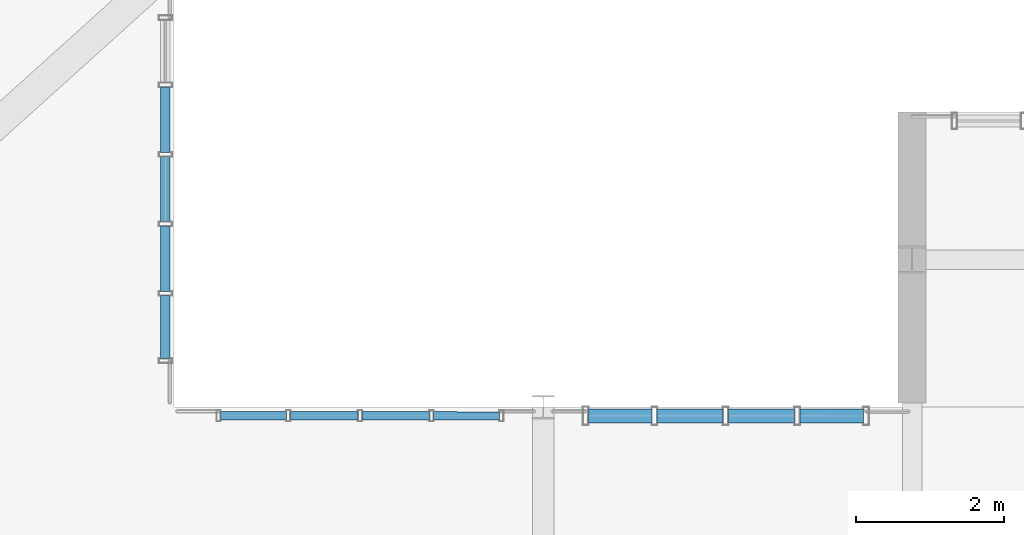
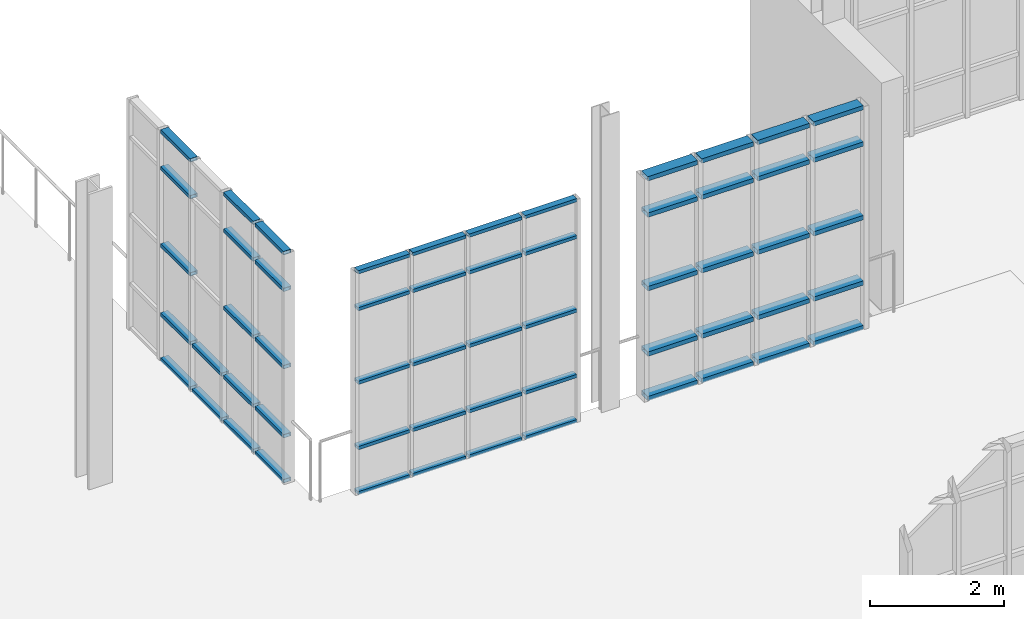
# One storey, part 123 of 189: 57 members, 3 elements without a shape of their own.
"""IFC4 building model written with IfcOpenShell, lengths in metres."""

from ifc_helpers import new_model, si_unit, direction, frame, origin, origin_2d, place, context, subcontext, project, spatial, hollow_rectangle, extrude, material, layer, layer_set, material_profile, profile_set, type_object, element, aggregate, save


model = new_model("IFC4")

# Units and contexts
model_context = context("Model", 3, precision=1e-05, world=origin(), true_north=direction((0.0, 1.0)))
body_context = subcontext(model_context, "Body", "Model", "MODEL_VIEW")
ifc_project = project(units=[si_unit("LENGTHUNIT", "METRE"), si_unit("AREAUNIT", "SQUARE_METRE"), si_unit("VOLUMEUNIT", "CUBIC_METRE"), si_unit("PLANEANGLEUNIT", "RADIAN"), si_unit("MASSUNIT", "GRAM", prefix="KILO"), si_unit("THERMODYNAMICTEMPERATUREUNIT", "KELVIN"), si_unit("POWERUNIT", "WATT")], contexts=[model_context])

# Site, building, storey
site_placement = place(None, origin())
site = spatial("IfcSite", under=ifc_project, at=site_placement, CompositionType="ELEMENT")
building_placement = place(site_placement, origin())
building = spatial("IfcBuilding", under=site, at=building_placement, Name="Zelmaris Science Centre", CompositionType="ELEMENT")
storey_placement = place(building_placement, origin())
storey = spatial("IfcBuildingStorey", under=building, at=storey_placement, Name="L00", CompositionType="ELEMENT", Elevation=0.0)

# Curtain wall, members
ifc_material = material(Name="Anodised architectural aluminium 6063-T6", Category="aluminium")
ifc_layer_1 = layer(ifc_material, 0.219970703125, Name="Anodised architectural aluminium 6063-T6")
ifc_layer_set_1 = layer_set([ifc_layer_1], Name="Anodised architectural aluminium 6063-T6")
curtain_wall_type_1 = type_object("IfcCurtainWallType", Name="Curtain Wall CW-04", PredefinedType="USERDEFINED", material=ifc_layer_set_1)
curtain_wall_1_placement = place(storey_placement, origin())
curtain_wall_1 = element("IfcCurtainWall", 1, at=curtain_wall_1_placement, inside=storey, type_object=curtain_wall_type_1, Name="L00 Unitised curtain wall 64", ObjectType="GLAZED CURTAIN WALL", PredefinedType="USERDEFINED")
ifc_material_profile_1 = material_profile(ifc_material, hollow_rectangle(XDim=0.06005859375, YDim=0.110107421875, WallThickness=0.0029296875, at=origin_2d()), Name="ALU-TRN-60X110")
ifc_profile_set_1 = profile_set([ifc_material_profile_1], Name="Anodised architectural aluminium 6063-T6")
member_type_1 = type_object("IfcMemberType", Name="ALU-TRN-60X110", PredefinedType="USERDEFINED", material=ifc_profile_set_1)
member_1_placement = place(storey_placement, frame((98.62890625, 29.88427734375, 0.010986328125), z_axis=(0.999999962613, -0.000273448171, 0.0), x_axis=(0.0, 0.0, 1.0)))
member_1 = element("IfcMember", 2, at=member_1_placement, type_object=member_type_1, Name="CW-04 transom 1.1", ObjectType="TRANSOM", PredefinedType="USERDEFINED", context=body_context, shape_type="SweptSolid", body=[
    extrude(hollow_rectangle(XDim=0.06005859375, YDim=0.110107421875, WallThickness=0.0029296875, at=origin_2d()), origin(), (0.0, 0.0, 1.0), 0.892822265625),
])
member_2_placement = place(storey_placement, frame((98.62890625, 29.88427734375, 0.8349609375), z_axis=(0.999999962613, -0.000273448171, 0.0), x_axis=(0.0, 0.0, 1.0)))
member_2 = element("IfcMember", 3, at=member_2_placement, type_object=member_type_1, Name="CW-04 transom 1.2", ObjectType="TRANSOM", PredefinedType="USERDEFINED", context=body_context, shape_type="SweptSolid", body=[
    extrude(hollow_rectangle(XDim=0.06005859375, YDim=0.110107421875, WallThickness=0.0029296875, at=origin_2d()), origin(), (0.0, 0.0, 1.0), 0.892822265625),
])
member_3_placement = place(storey_placement, frame((98.62890625, 29.88427734375, 2.029541015625), z_axis=(0.999999962613, -0.000273448171, 0.0), x_axis=(0.0, 0.0, 1.0)))
member_3 = element("IfcMember", 4, at=member_3_placement, type_object=member_type_1, Name="CW-04 transom 1.3", ObjectType="TRANSOM", PredefinedType="USERDEFINED", context=body_context, shape_type="SweptSolid", body=[
    extrude(hollow_rectangle(XDim=0.06005859375, YDim=0.110107421875, WallThickness=0.0029296875, at=origin_2d()), origin(), (0.0, 0.0, 1.0), 0.892822265625),
])
member_4_placement = place(storey_placement, frame((98.62890625, 29.88427734375, 3.3740234375), z_axis=(0.999999962613, -0.000273448171, 0.0), x_axis=(0.0, 0.0, 1.0)))
member_4 = element("IfcMember", 5, at=member_4_placement, type_object=member_type_1, Name="CW-04 transom 1.4", ObjectType="TRANSOM", PredefinedType="USERDEFINED", context=body_context, shape_type="SweptSolid", body=[
    extrude(hollow_rectangle(XDim=0.06005859375, YDim=0.110107421875, WallThickness=0.0029296875, at=origin_2d()), origin(), (0.0, 0.0, 1.0), 0.892822265625),
])
member_5_placement = place(storey_placement, frame((98.62890625, 29.88427734375, 4.048095703125), z_axis=(0.999999962613, -0.000273448171, 0.0), x_axis=(0.0, 0.0, 1.0)))
member_5 = element("IfcMember", 6, at=member_5_placement, type_object=member_type_1, Name="CW-04 transom 1.5", ObjectType="TRANSOM", PredefinedType="USERDEFINED", context=body_context, shape_type="SweptSolid", body=[
    extrude(hollow_rectangle(XDim=0.06005859375, YDim=0.110107421875, WallThickness=0.0029296875, at=origin_2d()), origin(), (0.0, 0.0, 1.0), 0.892822265625),
])
member_6_placement = place(storey_placement, frame((99.57373046875, 29.884033203125, 0.010986328125), z_axis=(0.99999996469, -0.000265745407, 0.0), x_axis=(0.0, 0.0, 1.0)))
member_6 = element("IfcMember", 7, at=member_6_placement, type_object=member_type_1, Name="CW-04 transom 2.1", ObjectType="TRANSOM", PredefinedType="USERDEFINED", context=body_context, shape_type="SweptSolid", body=[
    extrude(hollow_rectangle(XDim=0.06005859375, YDim=0.110107421875, WallThickness=0.0029296875, at=origin_2d()), origin(), (0.0, 0.0, 1.0), 0.918701171875),
])
member_7_placement = place(storey_placement, frame((99.57373046875, 29.884033203125, 0.8349609375), z_axis=(0.99999996469, -0.000265745407, 0.0), x_axis=(0.0, 0.0, 1.0)))
member_7 = element("IfcMember", 8, at=member_7_placement, type_object=member_type_1, Name="CW-04 transom 2.2", ObjectType="TRANSOM", PredefinedType="USERDEFINED", context=body_context, shape_type="SweptSolid", body=[
    extrude(hollow_rectangle(XDim=0.06005859375, YDim=0.110107421875, WallThickness=0.0029296875, at=origin_2d()), origin(), (0.0, 0.0, 1.0), 0.918701171875),
])
member_8_placement = place(storey_placement, frame((99.57373046875, 29.884033203125, 2.029541015625), z_axis=(0.99999996469, -0.000265745407, 0.0), x_axis=(0.0, 0.0, 1.0)))
member_8 = element("IfcMember", 9, at=member_8_placement, type_object=member_type_1, Name="CW-04 transom 2.3", ObjectType="TRANSOM", PredefinedType="USERDEFINED", context=body_context, shape_type="SweptSolid", body=[
    extrude(hollow_rectangle(XDim=0.06005859375, YDim=0.110107421875, WallThickness=0.0029296875, at=origin_2d()), origin(), (0.0, 0.0, 1.0), 0.918701171875),
])
member_9_placement = place(storey_placement, frame((99.57373046875, 29.884033203125, 3.3740234375), z_axis=(0.99999996469, -0.000265745407, 0.0), x_axis=(0.0, 0.0, 1.0)))
member_9 = element("IfcMember", 10, at=member_9_placement, type_object=member_type_1, Name="CW-04 transom 2.4", ObjectType="TRANSOM", PredefinedType="USERDEFINED", context=body_context, shape_type="SweptSolid", body=[
    extrude(hollow_rectangle(XDim=0.06005859375, YDim=0.110107421875, WallThickness=0.0029296875, at=origin_2d()), origin(), (0.0, 0.0, 1.0), 0.918701171875),
])
member_10_placement = place(storey_placement, frame((99.57373046875, 29.884033203125, 4.048095703125), z_axis=(0.99999996469, -0.000265745407, 0.0), x_axis=(0.0, 0.0, 1.0)))
member_10 = element("IfcMember", 11, at=member_10_placement, type_object=member_type_1, Name="CW-04 transom 2.5", ObjectType="TRANSOM", PredefinedType="USERDEFINED", context=body_context, shape_type="SweptSolid", body=[
    extrude(hollow_rectangle(XDim=0.06005859375, YDim=0.110107421875, WallThickness=0.0029296875, at=origin_2d()), origin(), (0.0, 0.0, 1.0), 0.918701171875),
])
member_11_placement = place(storey_placement, frame((100.54443359375, 29.8837890625, 0.010986328125), z_axis=(0.999999858759, -0.000531490757, 0.0), x_axis=(0.0, 0.0, 1.0)))
member_11 = element("IfcMember", 12, at=member_11_placement, type_object=member_type_1, Name="CW-04 transom 3.1", ObjectType="TRANSOM", PredefinedType="USERDEFINED", context=body_context, shape_type="SweptSolid", body=[
    extrude(hollow_rectangle(XDim=0.06005859375, YDim=0.110107421875, WallThickness=0.0029296875, at=origin_2d()), origin(), (0.0, 0.0, 1.0), 0.918701171875),
])
member_12_placement = place(storey_placement, frame((100.54443359375, 29.8837890625, 0.8349609375), z_axis=(0.999999858759, -0.000531490757, 0.0), x_axis=(0.0, 0.0, 1.0)))
member_12 = element("IfcMember", 13, at=member_12_placement, type_object=member_type_1, Name="CW-04 transom 3.2", ObjectType="TRANSOM", PredefinedType="USERDEFINED", context=body_context, shape_type="SweptSolid", body=[
    extrude(hollow_rectangle(XDim=0.06005859375, YDim=0.110107421875, WallThickness=0.0029296875, at=origin_2d()), origin(), (0.0, 0.0, 1.0), 0.918701171875),
])
member_13_placement = place(storey_placement, frame((100.54443359375, 29.8837890625, 2.029541015625), z_axis=(0.999999858759, -0.000531490757, 0.0), x_axis=(0.0, 0.0, 1.0)))
member_13 = element("IfcMember", 14, at=member_13_placement, type_object=member_type_1, Name="CW-04 transom 3.3", ObjectType="TRANSOM", PredefinedType="USERDEFINED", context=body_context, shape_type="SweptSolid", body=[
    extrude(hollow_rectangle(XDim=0.06005859375, YDim=0.110107421875, WallThickness=0.0029296875, at=origin_2d()), origin(), (0.0, 0.0, 1.0), 0.918701171875),
])
member_14_placement = place(storey_placement, frame((100.54443359375, 29.8837890625, 3.3740234375), z_axis=(0.999999858759, -0.000531490757, 0.0), x_axis=(0.0, 0.0, 1.0)))
member_14 = element("IfcMember", 15, at=member_14_placement, type_object=member_type_1, Name="CW-04 transom 3.4", ObjectType="TRANSOM", PredefinedType="USERDEFINED", context=body_context, shape_type="SweptSolid", body=[
    extrude(hollow_rectangle(XDim=0.06005859375, YDim=0.110107421875, WallThickness=0.0029296875, at=origin_2d()), origin(), (0.0, 0.0, 1.0), 0.918701171875),
])
member_15_placement = place(storey_placement, frame((100.54443359375, 29.8837890625, 4.048095703125), z_axis=(0.999999858759, -0.000531490757, 0.0), x_axis=(0.0, 0.0, 1.0)))
member_15 = element("IfcMember", 16, at=member_15_placement, type_object=member_type_1, Name="CW-04 transom 3.5", ObjectType="TRANSOM", PredefinedType="USERDEFINED", context=body_context, shape_type="SweptSolid", body=[
    extrude(hollow_rectangle(XDim=0.06005859375, YDim=0.110107421875, WallThickness=0.0029296875, at=origin_2d()), origin(), (0.0, 0.0, 1.0), 0.918701171875),
])
member_16_placement = place(storey_placement, frame((101.51513671875, 29.88330078125, 0.010986328125), z_axis=(0.999999962613, -0.000273448171, 0.0), x_axis=(0.0, 0.0, 1.0)))
member_16 = element("IfcMember", 17, at=member_16_placement, type_object=member_type_1, Name="CW-04 transom 4.1", ObjectType="TRANSOM", PredefinedType="USERDEFINED", context=body_context, shape_type="SweptSolid", body=[
    extrude(hollow_rectangle(XDim=0.06005859375, YDim=0.110107421875, WallThickness=0.0029296875, at=origin_2d()), origin(), (0.0, 0.0, 1.0), 0.892822265625),
])
member_17_placement = place(storey_placement, frame((101.51513671875, 29.88330078125, 0.8349609375), z_axis=(0.999999962613, -0.000273448171, 0.0), x_axis=(0.0, 0.0, 1.0)))
member_17 = element("IfcMember", 18, at=member_17_placement, type_object=member_type_1, Name="CW-04 transom 4.2", ObjectType="TRANSOM", PredefinedType="USERDEFINED", context=body_context, shape_type="SweptSolid", body=[
    extrude(hollow_rectangle(XDim=0.06005859375, YDim=0.110107421875, WallThickness=0.0029296875, at=origin_2d()), origin(), (0.0, 0.0, 1.0), 0.892822265625),
])
member_18_placement = place(storey_placement, frame((101.51513671875, 29.88330078125, 2.029541015625), z_axis=(0.999999962613, -0.000273448171, 0.0), x_axis=(0.0, 0.0, 1.0)))
member_18 = element("IfcMember", 19, at=member_18_placement, type_object=member_type_1, Name="CW-04 transom 4.3", ObjectType="TRANSOM", PredefinedType="USERDEFINED", context=body_context, shape_type="SweptSolid", body=[
    extrude(hollow_rectangle(XDim=0.06005859375, YDim=0.110107421875, WallThickness=0.0029296875, at=origin_2d()), origin(), (0.0, 0.0, 1.0), 0.892822265625),
])
member_19_placement = place(storey_placement, frame((101.51513671875, 29.88330078125, 3.3740234375), z_axis=(0.999999962613, -0.000273448171, 0.0), x_axis=(0.0, 0.0, 1.0)))
member_19 = element("IfcMember", 20, at=member_19_placement, type_object=member_type_1, Name="CW-04 transom 4.4", ObjectType="TRANSOM", PredefinedType="USERDEFINED", context=body_context, shape_type="SweptSolid", body=[
    extrude(hollow_rectangle(XDim=0.06005859375, YDim=0.110107421875, WallThickness=0.0029296875, at=origin_2d()), origin(), (0.0, 0.0, 1.0), 0.892822265625),
])
member_20_placement = place(storey_placement, frame((101.51513671875, 29.88330078125, 4.048095703125), z_axis=(0.999999962613, -0.000273448171, 0.0), x_axis=(0.0, 0.0, 1.0)))
member_20 = element("IfcMember", 21, at=member_20_placement, type_object=member_type_1, Name="CW-04 transom 4.5", ObjectType="TRANSOM", PredefinedType="USERDEFINED", context=body_context, shape_type="SweptSolid", body=[
    extrude(hollow_rectangle(XDim=0.06005859375, YDim=0.110107421875, WallThickness=0.0029296875, at=origin_2d()), origin(), (0.0, 0.0, 1.0), 0.892822265625),
])
aggregate(curtain_wall_1, [member_1, member_2, member_3, member_4, member_5, member_6, member_7, member_8, member_9, member_10, member_11, member_12, member_13, member_14, member_15, member_16, member_17, member_18, member_19, member_20])

ifc_layer_2 = layer(ifc_material, 0.2099609375, Name="Anodised architectural aluminium 6063-T6")
ifc_layer_set_2 = layer_set([ifc_layer_2], Name="Anodised architectural aluminium 6063-T6")
curtain_wall_type_2 = type_object("IfcCurtainWallType", Name="Curtain Wall CW-03", PredefinedType="USERDEFINED", material=ifc_layer_set_2)
curtain_wall_2_placement = place(storey_placement, origin())
curtain_wall_2 = element("IfcCurtainWall", 22, at=curtain_wall_2_placement, inside=storey, type_object=curtain_wall_type_2, Name="L00 Unitised curtain wall 63", ObjectType="GLAZED CURTAIN WALL", PredefinedType="USERDEFINED")
ifc_material_profile_2 = material_profile(ifc_material, hollow_rectangle(XDim=0.06494140625, YDim=0.1298828125, WallThickness=0.00341796875, at=origin_2d()), Name="ALU-TRN-65X130")
ifc_profile_set_2 = profile_set([ifc_material_profile_2], Name="Anodised architectural aluminium 6063-T6")
member_type_2 = type_object("IfcMemberType", Name="ALU-TRN-65X130", PredefinedType="USERDEFINED", material=ifc_profile_set_2)
member_21_placement = place(storey_placement, frame((97.8798828125, 34.3369140625, 0.013427734375), z_axis=(0.0, -1.0, 0.0), x_axis=(0.0, 0.0, 1.0)))
member_21 = element("IfcMember", 23, at=member_21_placement, type_object=member_type_2, Name="CW-03 transom 2.1", ObjectType="TRANSOM", PredefinedType="USERDEFINED", context=body_context, shape_type="SweptSolid", body=[
    extrude(hollow_rectangle(XDim=0.06494140625, YDim=0.1298828125, WallThickness=0.00341796875, at=origin_2d()), origin(), (0.0, 0.0, 1.0), 0.88427734375),
])
member_22_placement = place(storey_placement, frame((97.8798828125, 34.3369140625, 0.8349609375), z_axis=(0.0, -1.0, 0.0), x_axis=(0.0, 0.0, 1.0)))
member_22 = element("IfcMember", 24, at=member_22_placement, type_object=member_type_2, Name="CW-03 transom 2.2", ObjectType="TRANSOM", PredefinedType="USERDEFINED", context=body_context, shape_type="SweptSolid", body=[
    extrude(hollow_rectangle(XDim=0.06494140625, YDim=0.1298828125, WallThickness=0.00341796875, at=origin_2d()), origin(), (0.0, 0.0, 1.0), 0.88427734375),
])
member_23_placement = place(storey_placement, frame((97.8798828125, 34.3369140625, 2.096923828125), z_axis=(0.0, -1.0, 0.0), x_axis=(0.0, 0.0, 1.0)))
member_23 = element("IfcMember", 25, at=member_23_placement, type_object=member_type_2, Name="CW-03 transom 2.3", ObjectType="TRANSOM", PredefinedType="USERDEFINED", context=body_context, shape_type="SweptSolid", body=[
    extrude(hollow_rectangle(XDim=0.06494140625, YDim=0.1298828125, WallThickness=0.00341796875, at=origin_2d()), origin(), (0.0, 0.0, 1.0), 0.88427734375),
])
member_24_placement = place(storey_placement, frame((97.8798828125, 34.3369140625, 3.509033203125), z_axis=(0.0, -1.0, 0.0), x_axis=(0.0, 0.0, 1.0)))
member_24 = element("IfcMember", 26, at=member_24_placement, type_object=member_type_2, Name="CW-03 transom 2.4", ObjectType="TRANSOM", PredefinedType="USERDEFINED", context=body_context, shape_type="SweptSolid", body=[
    extrude(hollow_rectangle(XDim=0.06494140625, YDim=0.1298828125, WallThickness=0.00341796875, at=origin_2d()), origin(), (0.0, 0.0, 1.0), 0.88427734375),
])
member_25_placement = place(storey_placement, frame((97.8798828125, 34.3369140625, 4.180419921875), z_axis=(0.0, -1.0, 0.0), x_axis=(0.0, 0.0, 1.0)))
member_25 = element("IfcMember", 27, at=member_25_placement, type_object=member_type_2, Name="CW-03 transom 2.5", ObjectType="TRANSOM", PredefinedType="USERDEFINED", context=body_context, shape_type="SweptSolid", body=[
    extrude(hollow_rectangle(XDim=0.06494140625, YDim=0.1298828125, WallThickness=0.00341796875, at=origin_2d()), origin(), (0.0, 0.0, 1.0), 0.88427734375),
])
member_26_placement = place(storey_placement, frame((97.8798828125, 33.3955078125, 0.013427734375), z_axis=(0.0, -1.0, 0.0), x_axis=(0.0, 0.0, 1.0)))
member_26 = element("IfcMember", 28, at=member_26_placement, type_object=member_type_2, Name="CW-03 transom 3.1", ObjectType="TRANSOM", PredefinedType="USERDEFINED", context=body_context, shape_type="SweptSolid", body=[
    extrude(hollow_rectangle(XDim=0.06494140625, YDim=0.1298828125, WallThickness=0.00341796875, at=origin_2d()), origin(), (0.0, 0.0, 1.0), 0.88427734375),
])
member_27_placement = place(storey_placement, frame((97.8798828125, 33.3955078125, 0.8349609375), z_axis=(0.0, -1.0, 0.0), x_axis=(0.0, 0.0, 1.0)))
member_27 = element("IfcMember", 29, at=member_27_placement, type_object=member_type_2, Name="CW-03 transom 3.2", ObjectType="TRANSOM", PredefinedType="USERDEFINED", context=body_context, shape_type="SweptSolid", body=[
    extrude(hollow_rectangle(XDim=0.06494140625, YDim=0.1298828125, WallThickness=0.00341796875, at=origin_2d()), origin(), (0.0, 0.0, 1.0), 0.88427734375),
])
member_28_placement = place(storey_placement, frame((97.8798828125, 32.4541015625, 0.013427734375), z_axis=(0.0, -1.0, 0.0), x_axis=(0.0, 0.0, 1.0)))
member_28 = element("IfcMember", 30, at=member_28_placement, type_object=member_type_2, Name="CW-03 transom 4.1", ObjectType="TRANSOM", PredefinedType="USERDEFINED", context=body_context, shape_type="SweptSolid", body=[
    extrude(hollow_rectangle(XDim=0.06494140625, YDim=0.1298828125, WallThickness=0.00341796875, at=origin_2d()), origin(), (0.0, 0.0, 1.0), 0.88427734375),
])
member_29_placement = place(storey_placement, frame((97.8798828125, 32.4541015625, 0.8349609375), z_axis=(0.0, -1.0, 0.0), x_axis=(0.0, 0.0, 1.0)))
member_29 = element("IfcMember", 31, at=member_29_placement, type_object=member_type_2, Name="CW-03 transom 4.2", ObjectType="TRANSOM", PredefinedType="USERDEFINED", context=body_context, shape_type="SweptSolid", body=[
    extrude(hollow_rectangle(XDim=0.06494140625, YDim=0.1298828125, WallThickness=0.00341796875, at=origin_2d()), origin(), (0.0, 0.0, 1.0), 0.88427734375),
])
member_30_placement = place(storey_placement, frame((97.8798828125, 32.4541015625, 2.096923828125), z_axis=(0.0, -1.0, 0.0), x_axis=(0.0, 0.0, 1.0)))
member_30 = element("IfcMember", 32, at=member_30_placement, type_object=member_type_2, Name="CW-03 transom 4.3", ObjectType="TRANSOM", PredefinedType="USERDEFINED", context=body_context, shape_type="SweptSolid", body=[
    extrude(hollow_rectangle(XDim=0.06494140625, YDim=0.1298828125, WallThickness=0.00341796875, at=origin_2d()), origin(), (0.0, 0.0, 1.0), 0.88427734375),
])
member_31_placement = place(storey_placement, frame((97.8798828125, 32.4541015625, 3.509033203125), z_axis=(0.0, -1.0, 0.0), x_axis=(0.0, 0.0, 1.0)))
member_31 = element("IfcMember", 33, at=member_31_placement, type_object=member_type_2, Name="CW-03 transom 4.4", ObjectType="TRANSOM", PredefinedType="USERDEFINED", context=body_context, shape_type="SweptSolid", body=[
    extrude(hollow_rectangle(XDim=0.06494140625, YDim=0.1298828125, WallThickness=0.00341796875, at=origin_2d()), origin(), (0.0, 0.0, 1.0), 0.88427734375),
])
member_32_placement = place(storey_placement, frame((97.8798828125, 32.4541015625, 4.180419921875), z_axis=(0.0, -1.0, 0.0), x_axis=(0.0, 0.0, 1.0)))
member_32 = element("IfcMember", 34, at=member_32_placement, type_object=member_type_2, Name="CW-03 transom 4.5", ObjectType="TRANSOM", PredefinedType="USERDEFINED", context=body_context, shape_type="SweptSolid", body=[
    extrude(hollow_rectangle(XDim=0.06494140625, YDim=0.1298828125, WallThickness=0.00341796875, at=origin_2d()), origin(), (0.0, 0.0, 1.0), 0.88427734375),
])
member_33_placement = place(storey_placement, frame((97.8798828125, 31.512939453125, 0.013427734375), z_axis=(0.0, -1.0, 0.0), x_axis=(0.0, 0.0, 1.0)))
member_33 = element("IfcMember", 35, at=member_33_placement, type_object=member_type_2, Name="CW-03 transom 5.1", ObjectType="TRANSOM", PredefinedType="USERDEFINED", context=body_context, shape_type="SweptSolid", body=[
    extrude(hollow_rectangle(XDim=0.06494140625, YDim=0.1298828125, WallThickness=0.00341796875, at=origin_2d()), origin(), (0.0, 0.0, 1.0), 0.85595703125),
])
member_34_placement = place(storey_placement, frame((97.8798828125, 31.512939453125, 0.8349609375), z_axis=(0.0, -1.0, 0.0), x_axis=(0.0, 0.0, 1.0)))
member_34 = element("IfcMember", 36, at=member_34_placement, type_object=member_type_2, Name="CW-03 transom 5.2", ObjectType="TRANSOM", PredefinedType="USERDEFINED", context=body_context, shape_type="SweptSolid", body=[
    extrude(hollow_rectangle(XDim=0.06494140625, YDim=0.1298828125, WallThickness=0.00341796875, at=origin_2d()), origin(), (0.0, 0.0, 1.0), 0.85595703125),
])
member_35_placement = place(storey_placement, frame((97.8798828125, 31.512939453125, 2.096923828125), z_axis=(0.0, -1.0, 0.0), x_axis=(0.0, 0.0, 1.0)))
member_35 = element("IfcMember", 37, at=member_35_placement, type_object=member_type_2, Name="CW-03 transom 5.3", ObjectType="TRANSOM", PredefinedType="USERDEFINED", context=body_context, shape_type="SweptSolid", body=[
    extrude(hollow_rectangle(XDim=0.06494140625, YDim=0.1298828125, WallThickness=0.00341796875, at=origin_2d()), origin(), (0.0, 0.0, 1.0), 0.85595703125),
])
member_36_placement = place(storey_placement, frame((97.8798828125, 31.512939453125, 3.509033203125), z_axis=(0.0, -1.0, 0.0), x_axis=(0.0, 0.0, 1.0)))
member_36 = element("IfcMember", 38, at=member_36_placement, type_object=member_type_2, Name="CW-03 transom 5.4", ObjectType="TRANSOM", PredefinedType="USERDEFINED", context=body_context, shape_type="SweptSolid", body=[
    extrude(hollow_rectangle(XDim=0.06494140625, YDim=0.1298828125, WallThickness=0.00341796875, at=origin_2d()), origin(), (0.0, 0.0, 1.0), 0.85595703125),
])
member_37_placement = place(storey_placement, frame((97.8798828125, 31.512939453125, 4.180419921875), z_axis=(0.0, -1.0, 0.0), x_axis=(0.0, 0.0, 1.0)))
member_37 = element("IfcMember", 39, at=member_37_placement, type_object=member_type_2, Name="CW-03 transom 5.5", ObjectType="TRANSOM", PredefinedType="USERDEFINED", context=body_context, shape_type="SweptSolid", body=[
    extrude(hollow_rectangle(XDim=0.06494140625, YDim=0.1298828125, WallThickness=0.00341796875, at=origin_2d()), origin(), (0.0, 0.0, 1.0), 0.85595703125),
])
aggregate(curtain_wall_2, [member_21, member_22, member_23, member_24, member_25, member_26, member_27, member_28, member_29, member_30, member_31, member_32, member_33, member_34, member_35, member_36, member_37])

ifc_layer_3 = layer(ifc_material, 0.18994140625, Name="Anodised architectural aluminium 6063-T6")
ifc_layer_set_3 = layer_set([ifc_layer_3], Name="Anodised architectural aluminium 6063-T6")
curtain_wall_type_3 = type_object("IfcCurtainWallType", Name="Curtain Wall CW-01", PredefinedType="USERDEFINED", material=ifc_layer_set_3)
curtain_wall_3_placement = place(storey_placement, origin())
curtain_wall_3 = element("IfcCurtainWall", 40, at=curtain_wall_3_placement, inside=storey, type_object=curtain_wall_type_3, Name="L00 Unitised curtain wall 65", ObjectType="GLAZED CURTAIN WALL", PredefinedType="USERDEFINED")
ifc_material_profile_3 = material_profile(ifc_material, hollow_rectangle(XDim=0.080078125, YDim=0.18994140625, WallThickness=0.00439453125, at=origin_2d()), Name="ALU-TRN-80X190")
ifc_profile_set_3 = profile_set([ifc_material_profile_3], Name="Anodised architectural aluminium 6063-T6")
member_type_3 = type_object("IfcMemberType", Name="ALU-TRN-80X190", PredefinedType="USERDEFINED", material=ifc_profile_set_3)
member_38_placement = place(storey_placement, frame((103.612060546875, 29.882568359375, 0.02099609375), z_axis=(0.999999959692, -0.000283929574, 0.0), x_axis=(0.0, 0.0, 1.0)))
member_38 = element("IfcMember", 41, at=member_38_placement, type_object=member_type_3, Name="CW-01 transom 1.1", ObjectType="TRANSOM", PredefinedType="USERDEFINED", context=body_context, shape_type="SweptSolid", body=[
    extrude(hollow_rectangle(XDim=0.080078125, YDim=0.18994140625, WallThickness=0.00439453125, at=origin_2d()), origin(), (0.0, 0.0, 1.0), 0.85986328125),
])
member_39_placement = place(storey_placement, frame((103.612060546875, 29.882568359375, 0.8349609375), z_axis=(0.999999959692, -0.000283929574, 0.0), x_axis=(0.0, 0.0, 1.0)))
member_39 = element("IfcMember", 42, at=member_39_placement, type_object=member_type_3, Name="CW-01 transom 1.2", ObjectType="TRANSOM", PredefinedType="USERDEFINED", context=body_context, shape_type="SweptSolid", body=[
    extrude(hollow_rectangle(XDim=0.080078125, YDim=0.18994140625, WallThickness=0.00439453125, at=origin_2d()), origin(), (0.0, 0.0, 1.0), 0.85986328125),
])
member_40_placement = place(storey_placement, frame((103.612060546875, 29.882568359375, 2.029541015625), z_axis=(0.999999959692, -0.000283929574, 0.0), x_axis=(0.0, 0.0, 1.0)))
member_40 = element("IfcMember", 43, at=member_40_placement, type_object=member_type_3, Name="CW-01 transom 1.3", ObjectType="TRANSOM", PredefinedType="USERDEFINED", context=body_context, shape_type="SweptSolid", body=[
    extrude(hollow_rectangle(XDim=0.080078125, YDim=0.18994140625, WallThickness=0.00439453125, at=origin_2d()), origin(), (0.0, 0.0, 1.0), 0.85986328125),
])
member_41_placement = place(storey_placement, frame((103.612060546875, 29.882568359375, 3.3740234375), z_axis=(0.999999959692, -0.000283929574, 0.0), x_axis=(0.0, 0.0, 1.0)))
member_41 = element("IfcMember", 44, at=member_41_placement, type_object=member_type_3, Name="CW-01 transom 1.4", ObjectType="TRANSOM", PredefinedType="USERDEFINED", context=body_context, shape_type="SweptSolid", body=[
    extrude(hollow_rectangle(XDim=0.080078125, YDim=0.18994140625, WallThickness=0.00439453125, at=origin_2d()), origin(), (0.0, 0.0, 1.0), 0.85986328125),
])
member_42_placement = place(storey_placement, frame((103.612060546875, 29.882568359375, 4.0380859375), z_axis=(0.999999959692, -0.000283929574, 0.0), x_axis=(0.0, 0.0, 1.0)))
member_42 = element("IfcMember", 45, at=member_42_placement, type_object=member_type_3, Name="CW-01 transom 1.5", ObjectType="TRANSOM", PredefinedType="USERDEFINED", context=body_context, shape_type="SweptSolid", body=[
    extrude(hollow_rectangle(XDim=0.080078125, YDim=0.18994140625, WallThickness=0.00439453125, at=origin_2d()), origin(), (0.0, 0.0, 1.0), 0.85986328125),
])
member_43_placement = place(storey_placement, frame((104.5439453125, 29.88232421875, 0.02099609375), z_axis=(0.999999962877, -0.000272479554, 0.0), x_axis=(0.0, 0.0, 1.0)))
member_43 = element("IfcMember", 46, at=member_43_placement, type_object=member_type_3, Name="CW-01 transom 2.1", ObjectType="TRANSOM", PredefinedType="USERDEFINED", context=body_context, shape_type="SweptSolid", body=[
    extrude(hollow_rectangle(XDim=0.080078125, YDim=0.18994140625, WallThickness=0.00439453125, at=origin_2d()), origin(), (0.0, 0.0, 1.0), 0.89599609375),
])
member_44_placement = place(storey_placement, frame((104.5439453125, 29.88232421875, 0.8349609375), z_axis=(0.999999962877, -0.000272479554, 0.0), x_axis=(0.0, 0.0, 1.0)))
member_44 = element("IfcMember", 47, at=member_44_placement, type_object=member_type_3, Name="CW-01 transom 2.2", ObjectType="TRANSOM", PredefinedType="USERDEFINED", context=body_context, shape_type="SweptSolid", body=[
    extrude(hollow_rectangle(XDim=0.080078125, YDim=0.18994140625, WallThickness=0.00439453125, at=origin_2d()), origin(), (0.0, 0.0, 1.0), 0.89599609375),
])
member_45_placement = place(storey_placement, frame((104.5439453125, 29.88232421875, 2.029541015625), z_axis=(0.999999962877, -0.000272479554, 0.0), x_axis=(0.0, 0.0, 1.0)))
member_45 = element("IfcMember", 48, at=member_45_placement, type_object=member_type_3, Name="CW-01 transom 2.3", ObjectType="TRANSOM", PredefinedType="USERDEFINED", context=body_context, shape_type="SweptSolid", body=[
    extrude(hollow_rectangle(XDim=0.080078125, YDim=0.18994140625, WallThickness=0.00439453125, at=origin_2d()), origin(), (0.0, 0.0, 1.0), 0.89599609375),
])
member_46_placement = place(storey_placement, frame((104.5439453125, 29.88232421875, 3.3740234375), z_axis=(0.999999962877, -0.000272479554, 0.0), x_axis=(0.0, 0.0, 1.0)))
member_46 = element("IfcMember", 49, at=member_46_placement, type_object=member_type_3, Name="CW-01 transom 2.4", ObjectType="TRANSOM", PredefinedType="USERDEFINED", context=body_context, shape_type="SweptSolid", body=[
    extrude(hollow_rectangle(XDim=0.080078125, YDim=0.18994140625, WallThickness=0.00439453125, at=origin_2d()), origin(), (0.0, 0.0, 1.0), 0.89599609375),
])
member_47_placement = place(storey_placement, frame((104.5439453125, 29.88232421875, 4.0380859375), z_axis=(0.999999962877, -0.000272479554, 0.0), x_axis=(0.0, 0.0, 1.0)))
member_47 = element("IfcMember", 50, at=member_47_placement, type_object=member_type_3, Name="CW-01 transom 2.5", ObjectType="TRANSOM", PredefinedType="USERDEFINED", context=body_context, shape_type="SweptSolid", body=[
    extrude(hollow_rectangle(XDim=0.080078125, YDim=0.18994140625, WallThickness=0.00439453125, at=origin_2d()), origin(), (0.0, 0.0, 1.0), 0.89599609375),
])
member_48_placement = place(storey_placement, frame((105.511962890625, 29.882080078125, 0.02099609375), z_axis=(0.999999851429, -0.000545107578, 0.0), x_axis=(0.0, 0.0, 1.0)))
member_48 = element("IfcMember", 51, at=member_48_placement, type_object=member_type_3, Name="CW-01 transom 3.1", ObjectType="TRANSOM", PredefinedType="USERDEFINED", context=body_context, shape_type="SweptSolid", body=[
    extrude(hollow_rectangle(XDim=0.080078125, YDim=0.18994140625, WallThickness=0.00439453125, at=origin_2d()), origin(), (0.0, 0.0, 1.0), 0.895751953125),
])
member_49_placement = place(storey_placement, frame((105.511962890625, 29.882080078125, 0.8349609375), z_axis=(0.999999851429, -0.000545107578, 0.0), x_axis=(0.0, 0.0, 1.0)))
member_49 = element("IfcMember", 52, at=member_49_placement, type_object=member_type_3, Name="CW-01 transom 3.2", ObjectType="TRANSOM", PredefinedType="USERDEFINED", context=body_context, shape_type="SweptSolid", body=[
    extrude(hollow_rectangle(XDim=0.080078125, YDim=0.18994140625, WallThickness=0.00439453125, at=origin_2d()), origin(), (0.0, 0.0, 1.0), 0.895751953125),
])
member_50_placement = place(storey_placement, frame((105.511962890625, 29.882080078125, 2.029541015625), z_axis=(0.999999851429, -0.000545107578, 0.0), x_axis=(0.0, 0.0, 1.0)))
member_50 = element("IfcMember", 53, at=member_50_placement, type_object=member_type_3, Name="CW-01 transom 3.3", ObjectType="TRANSOM", PredefinedType="USERDEFINED", context=body_context, shape_type="SweptSolid", body=[
    extrude(hollow_rectangle(XDim=0.080078125, YDim=0.18994140625, WallThickness=0.00439453125, at=origin_2d()), origin(), (0.0, 0.0, 1.0), 0.895751953125),
])
member_51_placement = place(storey_placement, frame((105.511962890625, 29.882080078125, 3.3740234375), z_axis=(0.999999851429, -0.000545107578, 0.0), x_axis=(0.0, 0.0, 1.0)))
member_51 = element("IfcMember", 54, at=member_51_placement, type_object=member_type_3, Name="CW-01 transom 3.4", ObjectType="TRANSOM", PredefinedType="USERDEFINED", context=body_context, shape_type="SweptSolid", body=[
    extrude(hollow_rectangle(XDim=0.080078125, YDim=0.18994140625, WallThickness=0.00439453125, at=origin_2d()), origin(), (0.0, 0.0, 1.0), 0.895751953125),
])
member_52_placement = place(storey_placement, frame((105.511962890625, 29.882080078125, 4.0380859375), z_axis=(0.999999851429, -0.000545107578, 0.0), x_axis=(0.0, 0.0, 1.0)))
member_52 = element("IfcMember", 55, at=member_52_placement, type_object=member_type_3, Name="CW-01 transom 3.5", ObjectType="TRANSOM", PredefinedType="USERDEFINED", context=body_context, shape_type="SweptSolid", body=[
    extrude(hollow_rectangle(XDim=0.080078125, YDim=0.18994140625, WallThickness=0.00439453125, at=origin_2d()), origin(), (0.0, 0.0, 1.0), 0.895751953125),
])
member_53_placement = place(storey_placement, frame((106.479736328125, 29.881591796875, 0.02099609375), z_axis=(0.999999959692, -0.000283929574, 0.0), x_axis=(0.0, 0.0, 1.0)))
member_53 = element("IfcMember", 56, at=member_53_placement, type_object=member_type_3, Name="CW-01 transom 4.1", ObjectType="TRANSOM", PredefinedType="USERDEFINED", context=body_context, shape_type="SweptSolid", body=[
    extrude(hollow_rectangle(XDim=0.080078125, YDim=0.18994140625, WallThickness=0.00439453125, at=origin_2d()), origin(), (0.0, 0.0, 1.0), 0.85986328125),
])
member_54_placement = place(storey_placement, frame((106.479736328125, 29.881591796875, 0.8349609375), z_axis=(0.999999959692, -0.000283929574, 0.0), x_axis=(0.0, 0.0, 1.0)))
member_54 = element("IfcMember", 57, at=member_54_placement, type_object=member_type_3, Name="CW-01 transom 4.2", ObjectType="TRANSOM", PredefinedType="USERDEFINED", context=body_context, shape_type="SweptSolid", body=[
    extrude(hollow_rectangle(XDim=0.080078125, YDim=0.18994140625, WallThickness=0.00439453125, at=origin_2d()), origin(), (0.0, 0.0, 1.0), 0.85986328125),
])
member_55_placement = place(storey_placement, frame((106.479736328125, 29.881591796875, 2.029541015625), z_axis=(0.999999959692, -0.000283929574, 0.0), x_axis=(0.0, 0.0, 1.0)))
member_55 = element("IfcMember", 58, at=member_55_placement, type_object=member_type_3, Name="CW-01 transom 4.3", ObjectType="TRANSOM", PredefinedType="USERDEFINED", context=body_context, shape_type="SweptSolid", body=[
    extrude(hollow_rectangle(XDim=0.080078125, YDim=0.18994140625, WallThickness=0.00439453125, at=origin_2d()), origin(), (0.0, 0.0, 1.0), 0.85986328125),
])
member_56_placement = place(storey_placement, frame((106.479736328125, 29.881591796875, 3.3740234375), z_axis=(0.999999959692, -0.000283929574, 0.0), x_axis=(0.0, 0.0, 1.0)))
member_56 = element("IfcMember", 59, at=member_56_placement, type_object=member_type_3, Name="CW-01 transom 4.4", ObjectType="TRANSOM", PredefinedType="USERDEFINED", context=body_context, shape_type="SweptSolid", body=[
    extrude(hollow_rectangle(XDim=0.080078125, YDim=0.18994140625, WallThickness=0.00439453125, at=origin_2d()), origin(), (0.0, 0.0, 1.0), 0.85986328125),
])
member_57_placement = place(storey_placement, frame((106.479736328125, 29.881591796875, 4.0380859375), z_axis=(0.999999959692, -0.000283929574, 0.0), x_axis=(0.0, 0.0, 1.0)))
member_57 = element("IfcMember", 60, at=member_57_placement, type_object=member_type_3, Name="CW-01 transom 4.5", ObjectType="TRANSOM", PredefinedType="USERDEFINED", context=body_context, shape_type="SweptSolid", body=[
    extrude(hollow_rectangle(XDim=0.080078125, YDim=0.18994140625, WallThickness=0.00439453125, at=origin_2d()), origin(), (0.0, 0.0, 1.0), 0.85986328125),
])
aggregate(curtain_wall_3, [member_38, member_39, member_40, member_41, member_42, member_43, member_44, member_45, member_46, member_47, member_48, member_49, member_50, member_51, member_52, member_53, member_54, member_55, member_56, member_57])

save(model, "model.ifc")
